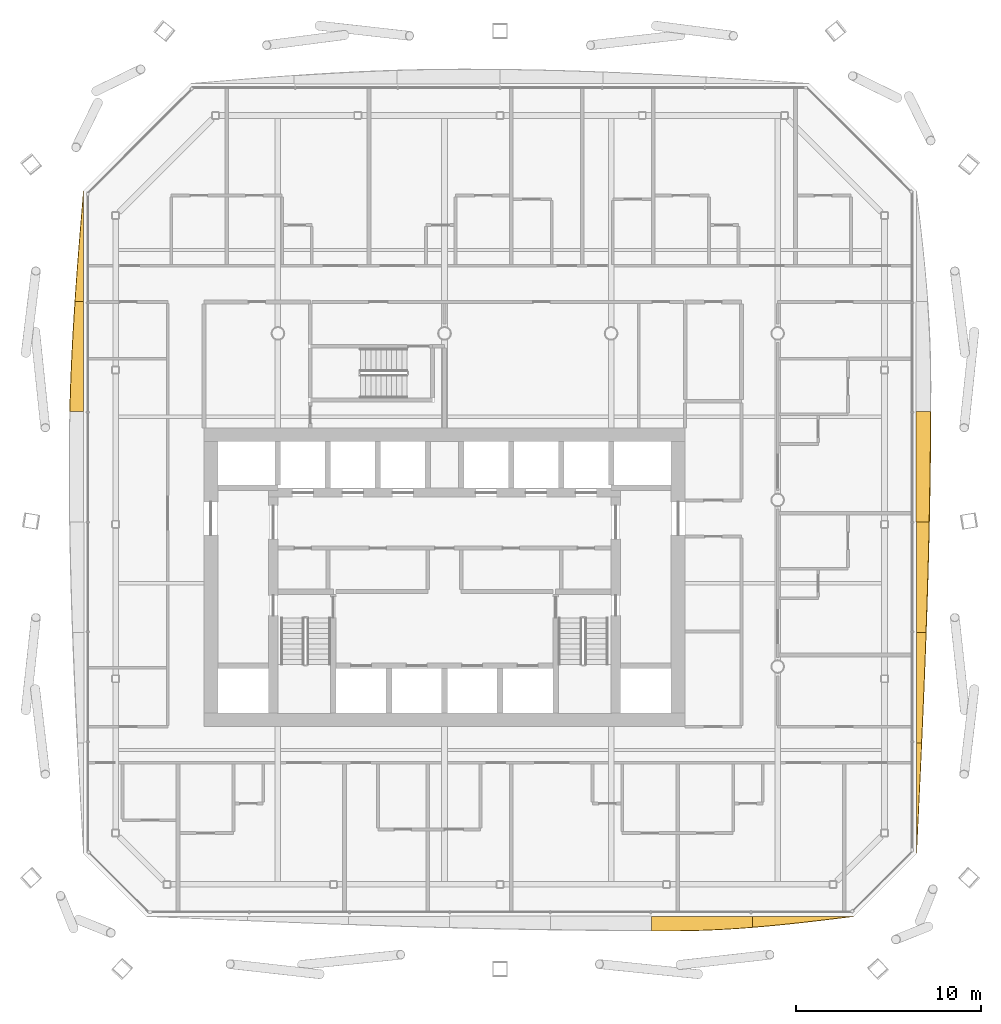
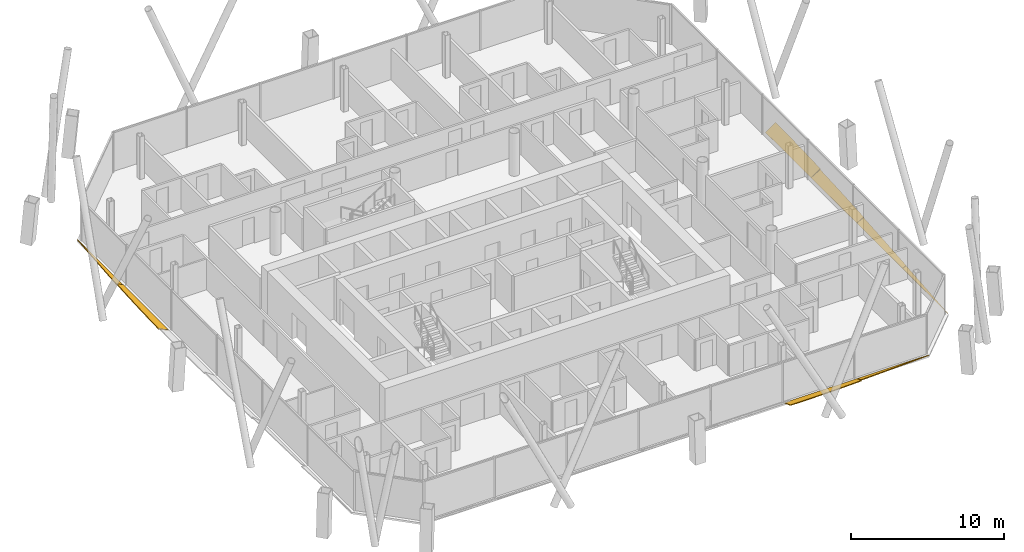
# One storey, part 21 of 23: 8 shading devices.
"""IFC4 building model written with IfcOpenShell, lengths in metres."""

from ifc_helpers import new_model, si_unit, direction, frame, origin, place, context, subcontext, project, spatial, polyline, outline, extrude, material, layer, layer_set, type_object, element, save


model = new_model("IFC4")

# Units and contexts
model_context = context("Model", 3, precision=1e-05, world=origin(), true_north=direction((0.0, 1.0)))
body_context = subcontext(model_context, "Body", "Model", "MODEL_VIEW")
ifc_project = project(units=[si_unit("LENGTHUNIT", "METRE"), si_unit("AREAUNIT", "SQUARE_METRE"), si_unit("VOLUMEUNIT", "CUBIC_METRE"), si_unit("PLANEANGLEUNIT", "RADIAN"), si_unit("MASSUNIT", "GRAM", prefix="KILO")], contexts=[model_context])

# Site, building, storey
site_placement = place(None, origin())
site = spatial("IfcSite", under=ifc_project, at=site_placement, CompositionType="ELEMENT")
building_placement = place(site_placement, origin())
building = spatial("IfcBuilding", under=site, at=building_placement, Name="Tskaro Facet Tower", CompositionType="ELEMENT")
storey_placement = place(building_placement, frame((0.0, 0.0, 141.89990234375)))
storey = spatial("IfcBuildingStorey", under=building, at=storey_placement, Name="L34", CompositionType="ELEMENT", Elevation=141.89990234375)

# Shading devices
ifc_material = material(Name="Bronze anodised aluminium 6063-T6", Category="aluminium")
ifc_layer = layer(ifc_material, 0.06005859375, Name="Bronze anodised aluminium 6063-T6")
ifc_layer_set = layer_set([ifc_layer], Name="Bronze anodised aluminium 6063-T6")
shading_device_type = type_object("IfcShadingDeviceType", Name="Bronze sun blade (FN1)", PredefinedType="USERDEFINED", material=ifc_layer_set)
shading_device_1_placement = place(storey_placement, frame((11.18017578125, -22.50146484375, 0.056396484375), z_axis=(-5.23632e-07, 0.342096608691, 0.939664786145), x_axis=(1.0, 1.79133e-07, 4.92038e-07)))
element("IfcShadingDevice", 1, at=shading_device_1_placement, inside=storey, type_object=shading_device_type, Name="Fin blade south 6", ObjectType="FIN", PredefinedType="USERDEFINED", context=body_context, shape_type="SweptSolid", body=[
    extrude(outline(polyline([(0.0, 0.0), (5.453369140624252, 0.0), (5.453369140653189, -0.6292962209253378), (4.771728515642586, -0.683590479364047), (4.0900878906226, -0.7300837108789355), (3.4084472656043, -0.7680041647456067), (2.726562500050157, -0.7968930202677006), (2.044921874969917, -0.8165832380855046), (1.363281249946173, -0.8266995171825147), (0.9816894531692039, -0.8283265383111638), (0.681640624967852, -0.8280136082831275), (2.2753134300041994e-11, -0.827012447210551), (0.0, 0.0)])), origin(), (0.0, 0.0, -1.0), 0.06005859375),
])
shading_device_2_placement = place(storey_placement, frame((16.633544921875, -22.49658203125, 0.054443359375), z_axis=(1.892949e-05, 0.422659739599, 0.90628844424), x_axis=(0.999999999821, -8.000733e-06, -1.7155578e-05)))
element("IfcShadingDevice", 2, at=shading_device_2_placement, inside=storey, type_object=shading_device_type, Name="Fin blade south 7", ObjectType="FIN", PredefinedType="USERDEFINED", context=body_context, shape_type="SweptSolid", body=[
    extrude(outline(polyline([(0.0, 0.0), (5.453369139647959, 0.0), (4.7717285146136, -0.09240295282669073), (4.090087892096075, -0.18393574334562804), (3.408447264563934, -0.27316761218032476), (2.726806640675691, -0.35934647043726764), (2.0451660148531974, -0.44126282056721633), (1.3632812489883335, -0.5180465002624175), (0.6816406248945419, -0.5886060853878707), (-1.9597414495929247e-09, -0.6524990522890828), (0.0, 0.0)])), origin(), (0.0, 0.0, -1.0), 0.06005859375),
])
shading_device_3_placement = place(storey_placement, frame((25.50146484375, -19.0869140625, 0.056396484375), z_axis=(-0.342432977983, -8.376724e-06, 0.939542258507), x_axis=(-2.868466e-06, 0.999999999965, 7.870286e-06)))
element("IfcShadingDevice", 3, at=shading_device_3_placement, inside=storey, type_object=shading_device_type, Name="Fin blade east 1", ObjectType="FIN", PredefinedType="USERDEFINED", context=body_context, shape_type="SweptSolid", body=[
    extrude(outline(polyline([(0.0, 0.0), (5.963867187290759, -2.52579600043067e-21), (5.963867187725781, -0.29858727364301096), (5.218261717650327, -0.26266908185683085), (4.472900390300791, -0.22606274876800944), (3.7272949211051163, -0.18914343344370604), (2.9819335939350515, -0.1517653572509751), (2.236328124918848, -0.11407429882276215), (1.4909667972279448, -0.07615385996033544), (0.7453613289120503, -0.038233421097908726), (0.0, 0.0)])), origin(), (0.0, 0.0, -1.0), 0.06005859375),
])
shading_device_4_placement = place(storey_placement, frame((25.49658203125, -13.123046875, 0.054443359375), z_axis=(-0.422593046402, -4.233818e-06, 0.906319544705), x_axis=(-1.789182e-06, 0.999999999991, 3.837192e-06)))
element("IfcShadingDevice", 4, at=shading_device_4_placement, inside=storey, type_object=shading_device_type, Name="Fin blade east 2", ObjectType="FIN", PredefinedType="USERDEFINED", context=body_context, shape_type="SweptSolid", body=[
    extrude(outline(polyline([(0.0, 0.0), (5.96362304682155, -2.525692602854101e-21), (5.963623047111027, -0.577573767156075), (5.218261718764491, -0.547647910740966), (4.472656250103386, -0.5164093629644364), (3.7272949215040887, -0.4843006626666784), (2.981689453090226, -0.45120371255806613), (2.2363281251749805, -0.4170153405081293), (1.490722656071544, -0.38195681593696396), (0.7453613279667277, -0.34613131097504046), (2.35532614520232e-10, -0.3095388256223585), (0.0, 0.0)])), origin(), (0.0, 0.0, -1.0), 0.06005859375),
])
shading_device_5_placement = place(storey_placement, frame((25.491943359375, -7.159423828125, 0.052001953125), z_axis=(-0.500062603575, -6.29659e-06, 0.865989256554), x_axis=(-3.148689e-06, 0.99999999998, 5.452779e-06)))
element("IfcShadingDevice", 5, at=shading_device_5_placement, inside=storey, type_object=shading_device_type, Name="Fin blade east 3", ObjectType="FIN", PredefinedType="USERDEFINED", context=body_context, shape_type="SweptSolid", body=[
    extrude(outline(polyline([(0.0, 0.0), (5.9638671873817755, 0.0), (5.963867187750557, -0.8035088932439621), (5.218505859432418, -0.7840372714551987), (4.472900390339163, -0.763142277084988), (3.727539061926985, -0.7402789782200667), (2.981933594070937, -0.7161143923702764), (2.236572266127242, -0.6901929251841179), (1.4909667966397082, -0.6630595085748546), (0.7456054683957727, -0.6342912962258015), (-6.075602197643326e-11, -0.6044332200502218), (0.0, 0.0)])), origin(), (0.0, 0.0, -1.0), 0.06005859375),
])
shading_device_6_placement = place(storey_placement, frame((25.487548828125, -1.195556640625, 0.04931640625), z_axis=(-0.573483778429, -1.5255092e-05, 0.819216916113), x_axis=(-8.748548e-06, 0.999999999884, 1.249723e-05)))
element("IfcShadingDevice", 6, at=shading_device_6_placement, inside=storey, type_object=shading_device_type, Name="Fin blade east 4", ObjectType="FIN", PredefinedType="USERDEFINED", context=body_context, shape_type="SweptSolid", body=[
    extrude(outline(polyline([(0.0, 0.0), (5.963867186806051, 0.0), (5.963867189174608, -0.9457168532586104), (5.218505857782169, -0.9404966441043161), (4.472900388511566, -0.9333163632880483), (3.727539062612739, -0.924176010809807), (2.9819335936487903, -0.9131355801114169), (2.236572265005537, -0.8999950670629443), (1.4909667984841182, -0.8848944823524982), (0.7456054680116434, -0.8680938235518371), (-3.389970341029523e-10, -0.8493330930892025), (0.0, 0.0)])), origin(), (0.0, 0.0, -1.0), 0.06005859375),
])
shading_device_7_placement = place(storey_placement, frame((-19.50146484375, 16.696044921875, 0.056396484375), z_axis=(0.342337620737, -1.1696618e-05, 0.939577007643), x_axis=(-4.004192e-06, -0.999999999932, -1.0989873e-05)))
element("IfcShadingDevice", 7, at=shading_device_7_placement, inside=storey, type_object=shading_device_type, Name="Fin blade west 1", ObjectType="FIN", PredefinedType="USERDEFINED", context=body_context, shape_type="SweptSolid", body=[
    extrude(outline(polyline([(0.0, 0.0), (5.963867187092039, 0.0), (5.963867187817909, -0.49367528032469987), (5.21850586104757, -0.43906806147287536), (4.472900390948024, -0.3816868289621004), (3.7275390634074865, -0.3219067821074762), (2.981933592787426, -0.2601244668682868), (2.23657226399847, -0.19648569364173604), (1.4909667960403359, -0.1317622077022093), (0.7456054674799154, -0.06603758757040003), (0.0, 0.0)])), origin(), (0.0, 0.0, -1.0), 0.06005859375),
])
shading_device_8_placement = place(storey_placement, frame((-19.49658203125, 10.732177734375, 0.054443359375), z_axis=(0.422594971605, 7.4357e-06, 0.90631864701), x_axis=(3.14229e-06, -0.999999999972, 6.739114e-06)))
element("IfcShadingDevice", 8, at=shading_device_8_placement, inside=storey, type_object=shading_device_type, Name="Fin blade west 2", ObjectType="FIN", PredefinedType="USERDEFINED", context=body_context, shape_type="SweptSolid", body=[
    extrude(outline(polyline([(0.0, 0.0), (5.96386718733513, 0.0), (5.963867187978087, -0.8219069425575956), (5.218261718756656, -0.7995178674606719), (4.472900389928646, -0.7719961241415254), (3.7272949211222, -0.7396661544015849), (2.9819335935873057, -0.7025279582408501), (2.236328125306816, -0.6608028048602577), (1.4909667976416867, -0.6150364052621727), (0.7456054683216341, -0.5651255868461026), (1.232176880281873e-10, -0.5118224058153976), (0.0, 0.0)])), origin(), (0.0, 0.0, -1.0), 0.06005859375),
])

save(model, "model.ifc")
